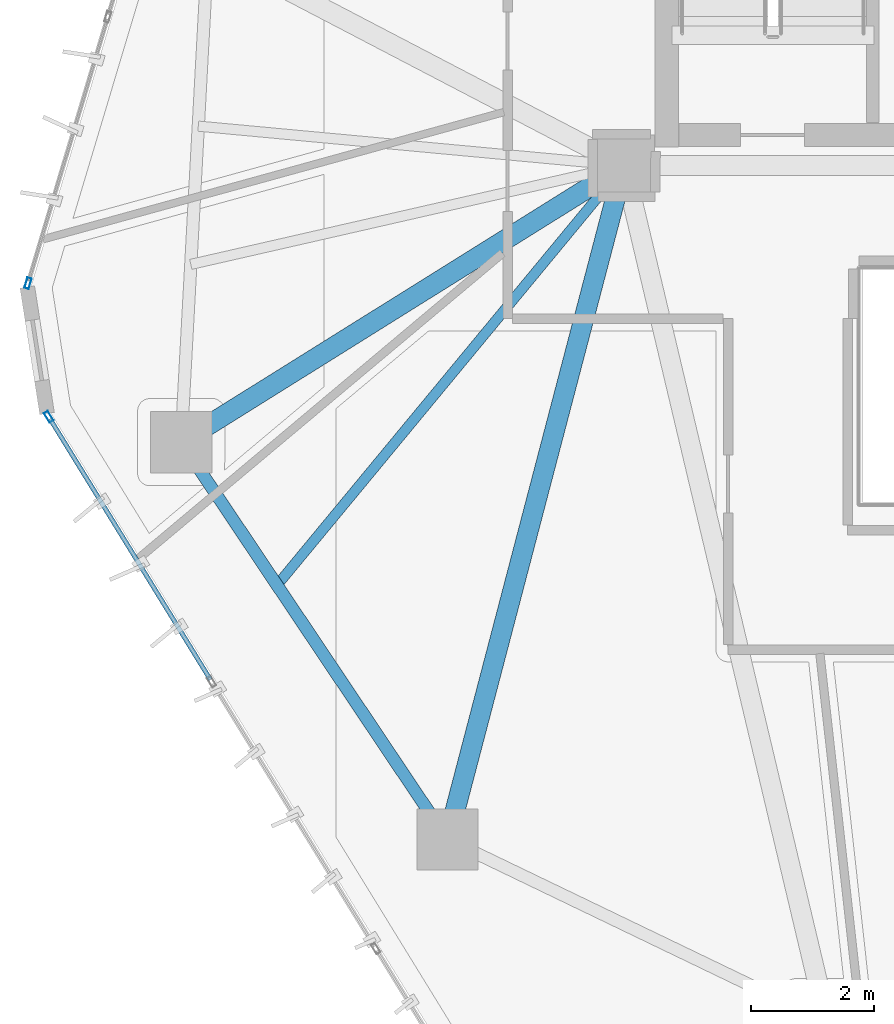
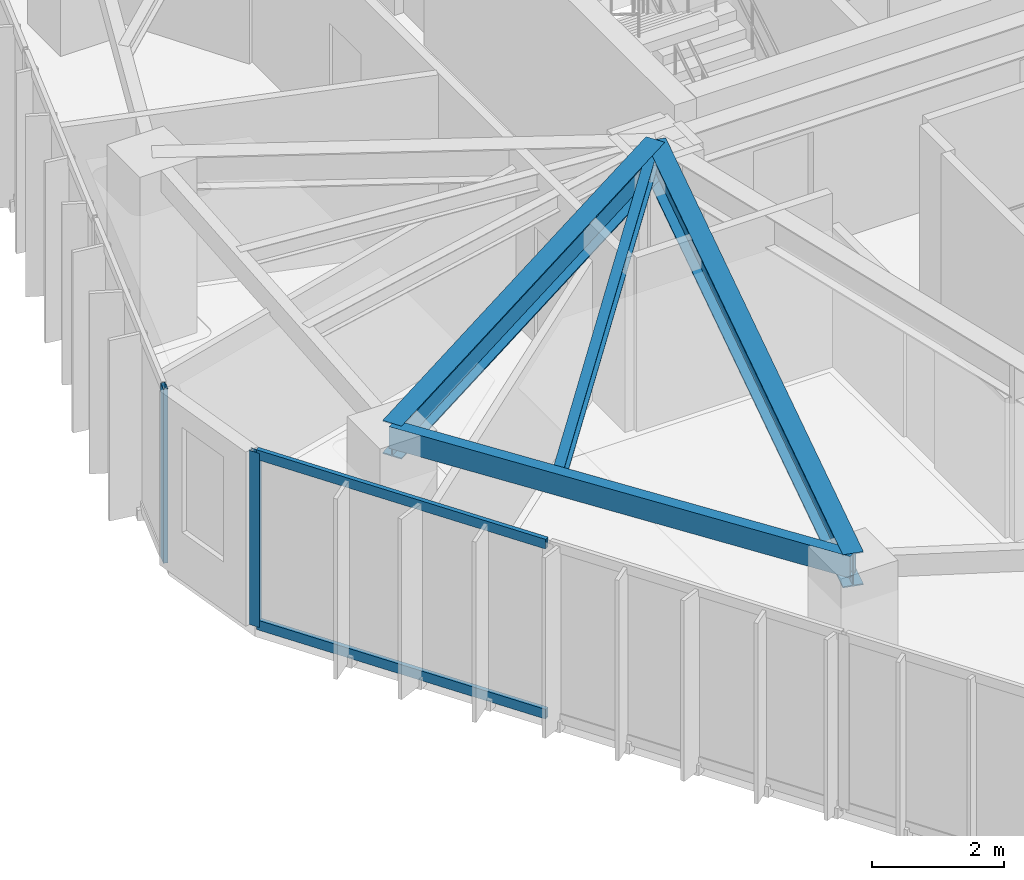
# One storey, part 3 of 19: 4 beams, 4 members, 2 elements without a shape of their own.
"""IFC4 building model written with IfcOpenShell, lengths in metres."""

from ifc_helpers import new_model, si_unit, direction, frame, origin, origin_2d, place, context, subcontext, project, spatial, hollow_rectangle, i_section, extrude, source, transform, mapped, material, layer, layer_set, material_profile, profile_set, type_object, type_shapes, element, aggregate, save


model = new_model("IFC4")

# Units and contexts
model_context = context("Model", 3, precision=1e-05, world=origin(), true_north=direction((0.0, 1.0)))
body_context = subcontext(model_context, "Body", "Model", "MODEL_VIEW")
ifc_project = project(units=[si_unit("LENGTHUNIT", "METRE"), si_unit("AREAUNIT", "SQUARE_METRE"), si_unit("VOLUMEUNIT", "CUBIC_METRE"), si_unit("PLANEANGLEUNIT", "RADIAN"), si_unit("MASSUNIT", "GRAM", prefix="KILO")], contexts=[model_context])

# Site, building, storey
site_placement = place(None, origin())
site = spatial("IfcSite", under=ifc_project, at=site_placement, CompositionType="ELEMENT")
building_placement = place(site_placement, origin())
building = spatial("IfcBuilding", under=site, at=building_placement, Name="Talar Marvaseh", CompositionType="ELEMENT")
storey_placement = place(building_placement, frame((0.0, 0.0, 177.5)))
storey = spatial("IfcBuildingStorey", under=building, at=storey_placement, Name="L46", CompositionType="ELEMENT", Elevation=177.5)

# Beams
ifc_material_1 = material(Name="Steel S355", Category="steel")
ifc_material_profile_1 = material_profile(ifc_material_1, hollow_rectangle(XDim=0.199951171875, YDim=0.39990234375, WallThickness=0.013916015625, at=origin_2d()), Name="RHS400x200x14")
ifc_profile_set_1 = profile_set([ifc_material_profile_1], Name="Steel S355")
beam_type_1 = type_object("IfcBeamType", Name="Zone 3 Perimeter Spandrel Beam RHS400x200x14", PredefinedType="SPANDREL", material=ifc_profile_set_1)
beam_1_placement = place(storey_placement, frame((15.819091796875, 14.5009765625, 3.030029296875), z_axis=(-0.556805579613, 0.830642851358, 0.0), x_axis=(-0.830642851358, -0.556805579613, 0.0)))
element("IfcBeam", 1, at=beam_1_placement, inside=storey, type_object=beam_type_1, Name="L46 Zone 3 Perimeter Spandrel Beam RHS400x200x14", PredefinedType="SPANDREL", context=body_context, shape_type="SweptSolid", body=[
    extrude(hollow_rectangle(XDim=0.199951171875, YDim=0.39990234375, WallThickness=0.013916015625, at=origin_2d()), origin(), (0.0, 0.0, 1.0), 7.807373046875),
])
ifc_material_profile_2 = material_profile(ifc_material_1, i_section(OverallWidth=0.324951171875, OverallDepth=0.615966796875, WebThickness=0.013916015625, FlangeThickness=0.021484375, at=origin_2d()), Name="W610x174")
ifc_profile_set_2 = profile_set([ifc_material_profile_2], Name="Steel S355")
beam_type_2 = type_object("IfcBeamType", Name="Zone 3 Radial Floor Girder W610x174", PredefinedType="BEAM", material=ifc_profile_set_2)
beam_2_placement = place(storey_placement, frame((15.819091796875, 14.5009765625, 2.922119140625), z_axis=(0.253372787776, 0.967368714821, 0.0), x_axis=(-0.967368714821, 0.253372787776, 0.0)))
element("IfcBeam", 2, at=beam_2_placement, inside=storey, type_object=beam_type_2, Name="L46 Zone 3 Radial Floor Girder W610x174", PredefinedType="BEAM", context=body_context, shape_type="SweptSolid", body=[
    extrude(i_section(OverallWidth=0.324951171875, OverallDepth=0.615966796875, WebThickness=0.013916015625, FlangeThickness=0.021484375, at=origin_2d()), origin(), (0.0, 0.0, 1.0), 11.3701171875),
])
beam_3_placement = place(storey_placement, frame((11.471923828125, 20.986083984375, 2.922119140625), z_axis=(0.848188171212, 0.52969503133, 0.0), x_axis=(-0.52969503133, 0.848188171212, 0.0)))
element("IfcBeam", 3, at=beam_3_placement, inside=storey, type_object=beam_type_2, Name="L46 Zone 3 Radial Floor Girder W610x174", PredefinedType="BEAM", context=body_context, shape_type="SweptSolid", body=[
    extrude(i_section(OverallWidth=0.324951171875, OverallDepth=0.615966796875, WebThickness=0.013916015625, FlangeThickness=0.021484375, at=origin_2d()), origin(), (0.0, 0.0, 1.0), 8.521728515625),
])
ifc_material_profile_3 = material_profile(ifc_material_1, i_section(OverallWidth=0.166015625, OverallDepth=0.31298828125, WebThickness=0.006591796875, FlangeThickness=0.01123046875, at=origin_2d()), Name="W310x45")
ifc_profile_set_3 = profile_set([ifc_material_profile_3], Name="Steel S355")
beam_type_3 = type_object("IfcBeamType", Name="Zone 3 Secondary Floor Joist W310x45", PredefinedType="JOIST", material=ifc_profile_set_3)
beam_4_placement = place(storey_placement, frame((13.036865234375, 18.6513671875, 3.073486328125), z_axis=(0.637250554087, 0.770656688362, 0.0), x_axis=(-0.770656688362, 0.637250554087, 0.0)))
element("IfcBeam", 4, at=beam_4_placement, inside=storey, type_object=beam_type_3, Name="L46 Zone 3 Secondary Floor Joist W310x45", PredefinedType="JOIST", context=body_context, shape_type="SweptSolid", body=[
    extrude(i_section(OverallWidth=0.166015625, OverallDepth=0.31298828125, WebThickness=0.006591796875, FlangeThickness=0.01123046875, at=origin_2d()), origin(), (0.0, 0.0, 1.0), 8.88671875),
])

# Curtain wall, member
ifc_material_2 = material(Name="Architectural Aluminium", Category="aluminium")
ifc_layer = layer(ifc_material_2, 0.18994140625)
ifc_layer_set = layer_set([ifc_layer], Name="Architectural Aluminium")
curtain_wall_type = type_object("IfcCurtainWallType", Name="Unitised Solar Atelier Curtain Wall Z3", PredefinedType="NOTDEFINED", material=ifc_layer_set)
curtain_wall_1_placement = place(storey_placement, origin())
curtain_wall_1 = element("IfcCurtainWall", 5, at=curtain_wall_1_placement, inside=storey, type_object=curtain_wall_type, Name="L46 Unitised Solar Atelier Curtain Wall Z3", PredefinedType="NOTDEFINED")
ifc_material_profile_4 = material_profile(ifc_material_2, hollow_rectangle(XDim=0.074951171875, YDim=0.179931640625, WallThickness=0.0048828125, at=origin_2d()), Name="RHS180x75x5")
ifc_profile_set_4 = profile_set([ifc_material_profile_4], Name="Architectural Aluminium")
member_type_1 = type_object("IfcMemberType", Name="Unitised Curtain Wall Standard Mullion RHS180x75x5", PredefinedType="MULLION", material=ifc_profile_set_4)
shared_shape_1 = source(origin(), body_context, "Body", "SweptSolid", [
    extrude(hollow_rectangle(XDim=0.074951171875, YDim=0.179931640625, WallThickness=0.0048828125, at=origin_2d()), origin(), (0.0, 0.0, 1.0), 3.22998046875),
])
type_shapes(member_type_1, [shared_shape_1])
member_1_placement = place(storey_placement, frame((9.31005859375, 21.39990234375, 0.0), z_axis=(0.0, 0.0, 1.0), x_axis=(-0.851763727983, -0.523926093732, 0.0)))
member_1 = element("IfcMember", 6, at=member_1_placement, type_object=member_type_1, Name="CW-Z3 mullion 4", PredefinedType="MULLION", context=body_context, shape_type="MappedRepresentation", body=[
    mapped(shared_shape_1, transform((0.0, 0.0, 0.0), x_axis=(1.0, 0.0, 0.0), y_axis=(0.0, 1.0, 0.0), z_axis=(0.0, 0.0, 1.0), scale=1.0)),
])

curtain_wall_2_placement = place(storey_placement, origin())
curtain_wall_2 = element("IfcCurtainWall", 7, at=curtain_wall_2_placement, inside=storey, type_object=curtain_wall_type, Name="L46 Unitised Solar Atelier Curtain Wall Z3", PredefinedType="NOTDEFINED")
member_2_placement = place(storey_placement, frame((8.97265625, 23.579833984375, 0.0), z_axis=(0.0, 0.0, 1.0), x_axis=(-0.957912629254, 0.287059914853, 0.0)))
member_2 = element("IfcMember", 8, at=member_2_placement, type_object=member_type_1, Name="CW-Z3 mullion 1", PredefinedType="MULLION", context=body_context, shape_type="MappedRepresentation", body=[
    mapped(shared_shape_1, transform((0.0, 0.0, 0.0), x_axis=(1.0, 0.0, 0.0), y_axis=(0.0, 1.0, 0.0), z_axis=(0.0, 0.0, 1.0), scale=1.0)),
])
aggregate(curtain_wall_2, [member_2])

# Member
ifc_material_profile_5 = material_profile(ifc_material_2, hollow_rectangle(XDim=0.074951171875, YDim=0.179931640625, WallThickness=0.0048828125, at=origin_2d()), Name="RHS180x75x5")
ifc_profile_set_5 = profile_set([ifc_material_profile_5], Name="Architectural Aluminium")
member_type_2 = type_object("IfcMemberType", Name="Unitised Curtain Wall Transom RHS180x75x5", PredefinedType="USERDEFINED", material=ifc_profile_set_5)
shared_shape_2 = source(origin(), body_context, "Body", "SweptSolid", [
    extrude(hollow_rectangle(XDim=0.074951171875, YDim=0.179931640625, WallThickness=0.0048828125, at=origin_2d()), origin(), (0.0, 0.0, 1.0), 5.00048828125),
])
type_shapes(member_type_2, [shared_shape_2])
member_3_placement = place(storey_placement, frame((11.94970703125, 17.108642578125, 0.03759765625), z_axis=(-0.523920352135, 0.851767259654, 0.0), x_axis=(-0.851767259654, -0.523920352135, 0.0)))
member_3 = element("IfcMember", 9, at=member_3_placement, type_object=member_type_2, Name="CW-Z3 transom 3.1", ObjectType="TRANSOM", PredefinedType="USERDEFINED", context=body_context, shape_type="MappedRepresentation", body=[
    mapped(shared_shape_2, transform((0.0, 0.0, 0.0), x_axis=(1.0, 0.0, 0.0), y_axis=(0.0, 1.0, 0.0), z_axis=(0.0, 0.0, 1.0), scale=1.0)),
])

member_4_placement = place(storey_placement, frame((11.94970703125, 17.108642578125, 3.1923828125), z_axis=(-0.523920352135, 0.851767259654, 0.0), x_axis=(-0.851767259654, -0.523920352135, 0.0)))
member_4 = element("IfcMember", 10, at=member_4_placement, type_object=member_type_2, Name="CW-Z3 transom 3.2", ObjectType="TRANSOM", PredefinedType="USERDEFINED", context=body_context, shape_type="MappedRepresentation", body=[
    mapped(shared_shape_2, transform((0.0, 0.0, 0.0), x_axis=(1.0, 0.0, 0.0), y_axis=(0.0, 1.0, 0.0), z_axis=(0.0, 0.0, 1.0), scale=1.0)),
])

aggregate(curtain_wall_1, [member_1, member_3, member_4])

save(model, "model.ifc")
